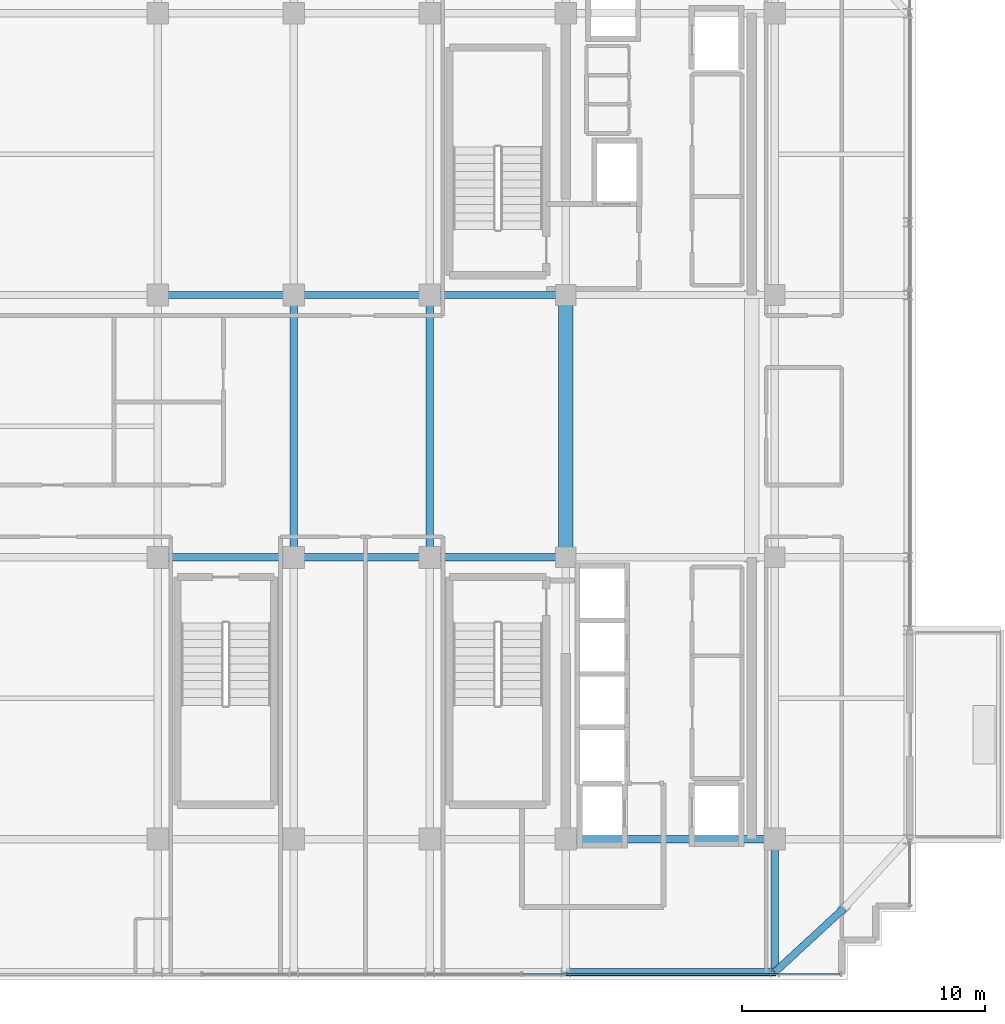
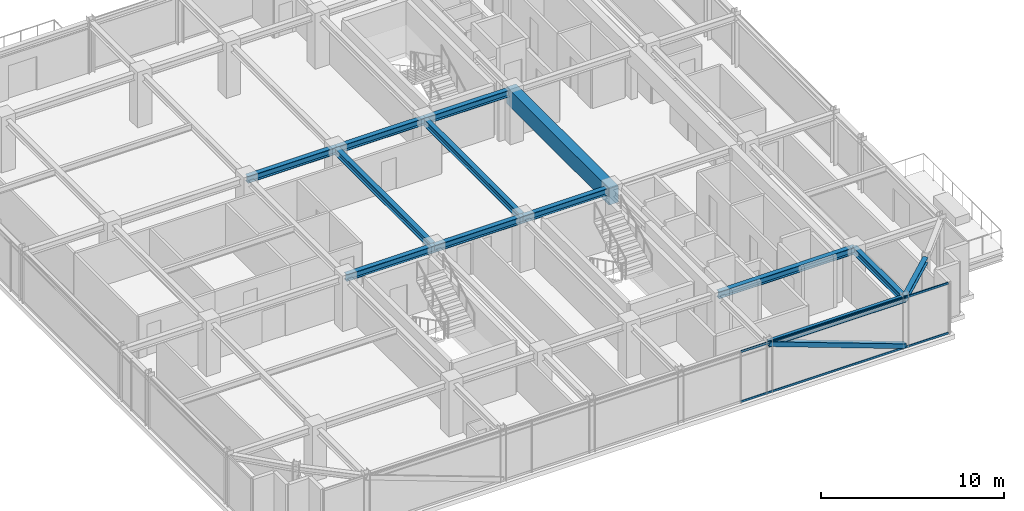
# One storey, part 11 of 31: 13 beams, 3 members, 1 element without a shape of its own.
"""IFC4 building model written with IfcOpenShell, lengths in metres."""

from ifc_helpers import new_model, si_unit, direction, frame, origin, origin_2d, place, context, subcontext, project, spatial, rectangle, hollow_rectangle, i_section, extrude, source, transform, mapped, material, material_profile, profile_set, type_object, element, aggregate, save


model = new_model("IFC4")

# Units and contexts
model_context = context("Model", 3, precision=1e-05, world=origin(), true_north=direction((0.0, 1.0)))
body_context = subcontext(model_context, "Body", "Model", "MODEL_VIEW")
ifc_project = project(units=[si_unit("LENGTHUNIT", "METRE"), si_unit("AREAUNIT", "SQUARE_METRE"), si_unit("VOLUMEUNIT", "CUBIC_METRE"), si_unit("PLANEANGLEUNIT", "RADIAN"), si_unit("MASSUNIT", "GRAM", prefix="KILO")], contexts=[model_context])

# Site, building, storey
site_placement = place(None, origin())
site = spatial("IfcSite", under=ifc_project, at=site_placement, CompositionType="ELEMENT")
building_placement = place(site_placement, origin())
building = spatial("IfcBuilding", under=site, at=building_placement, Name="Nahalor Promenade Grand Hotel", CompositionType="ELEMENT")
storey_placement = place(building_placement, frame((0.0, 0.0, 281.300048828125)))
storey = spatial("IfcBuildingStorey", under=building, at=storey_placement, Name="L72", CompositionType="ELEMENT", Elevation=281.300048828125)

# Beams
ifc_material_1 = material(Name="Concrete B-60 (C50/60)", Category="concrete")
ifc_material_profile_1 = material_profile(ifc_material_1, rectangle(XDim=0.6, YDim=1.1, at=origin_2d()), Name="RC 600x1100")
ifc_profile_set_1 = profile_set([ifc_material_profile_1], Name="Concrete B-60 (C50/60)")
beam_type_1 = type_object("IfcBeamType", Name="Beam-Lintel-RC1100", PredefinedType="LINTEL", material=ifc_profile_set_1)
shared_shape_1 = source(origin(), body_context, "Body", "SweptSolid", [
    extrude(rectangle(XDim=0.6, YDim=1.1, at=origin_2d()), origin(), (0.0, 0.0, 1.0), 11.2001953125),
])
beam_1_placement = place(storey_placement, frame((8.39990234375, -5.60009765625, 2.89990234375), z_axis=(0.0, 1.0, 0.0), x_axis=(-1.0, 0.0, 0.0)))
element("IfcBeam", 1, at=beam_1_placement, inside=storey, type_object=beam_type_1, Name="BM-L72-LINT-W", PredefinedType="LINTEL", context=body_context, shape_type="MappedRepresentation", body=[
    mapped(shared_shape_1, transform((0.0, 0.0, 0.0), scale=1.0)),
])
ifc_material_2 = material(Name="Steel S355JR", Category="steel")
ifc_material_profile_2 = material_profile(ifc_material_2, i_section(OverallWidth=0.3, OverallDepth=0.45, WebThickness=0.014, FlangeThickness=0.026, at=origin_2d()), Name="HEB 450")
ifc_profile_set_2 = profile_set([ifc_material_profile_2], Name="Steel S355JR")
beam_type_2 = type_object("IfcBeamType", Name="Beam-Girder-HEB450", PredefinedType="BEAM", material=ifc_profile_set_2)
shared_shape_2 = source(origin(), body_context, "Body", "SweptSolid", [
    extrude(i_section(OverallWidth=0.3, OverallDepth=0.45, WebThickness=0.014, FlangeThickness=0.026, at=origin_2d()), origin(), (0.0, 0.0, 1.0), 8.60009765625),
])
beam_2_placement = place(storey_placement, frame((8.39990234375, -17.0, 3.224853515625), z_axis=(1.0, 0.0, 0.0), x_axis=(0.0, 1.0, 0.0)))
element("IfcBeam", 2, at=beam_2_placement, inside=storey, type_object=beam_type_2, Name="BM-L72-GX-0-5", PredefinedType="BEAM", context=body_context, shape_type="MappedRepresentation", body=[
    mapped(shared_shape_2, transform((0.0, 0.0, 0.0), scale=1.0)),
])
shared_shape_3 = source(origin(), body_context, "Body", "SweptSolid", [
    extrude(i_section(OverallWidth=0.3, OverallDepth=0.45, WebThickness=0.014, FlangeThickness=0.026, at=origin_2d()), origin(), (0.0, 0.0, 1.0), 5.599853515625),
])
for number, where, z_axis, x_axis, name in (
    (3, (-8.39990234375, -5.39990234375, 3.224853515625), (1.0, 0.0, 0.0), (0.0, 1.0, 0.0), "BM-L72-GX-1-2"),
    (4, (2.800048828125, -5.39990234375, 3.224853515625), (1.0, 0.0, 0.0), (0.0, 1.0, 0.0), "BM-L72-GX-1-4"),
    (5, (-8.39990234375, 5.39990234375, 3.224853515625), (1.0, 0.0, 0.0), (0.0, 1.0, 0.0), "BM-L72-GX-2-2"),
    (6, (2.800048828125, 5.39990234375, 3.224853515625), (1.0, 0.0, 0.0), (0.0, 1.0, 0.0), "BM-L72-GX-2-4"),
):
    element("IfcBeam", number, at=place(storey_placement, frame(where, z_axis=z_axis, x_axis=x_axis)), inside=storey, type_object=beam_type_2, Name=name, PredefinedType="BEAM", context=body_context, shape_type="MappedRepresentation", body=[
        mapped(shared_shape_3, transform((0.0, 0.0, 0.0), scale=1.0)),
    ])
shared_shape_4 = source(origin(), body_context, "Body", "SweptSolid", [
    extrude(i_section(OverallWidth=0.3, OverallDepth=0.45, WebThickness=0.014, FlangeThickness=0.026, at=origin_2d()), origin(), (0.0, 0.0, 1.0), 5.60009765625),
])
for number, where, z_axis, x_axis, name in (
    (7, (-2.800048828125, -5.39990234375, 3.224853515625), (1.0, 0.0, 0.0), (0.0, 1.0, 0.0), "BM-L72-GX-1-3"),
    (8, (-2.800048828125, 5.39990234375, 3.224853515625), (1.0, 0.0, 0.0), (0.0, 1.0, 0.0), "BM-L72-GX-2-3"),
):
    element("IfcBeam", number, at=place(storey_placement, frame(where, z_axis=z_axis, x_axis=x_axis)), inside=storey, type_object=beam_type_2, Name=name, PredefinedType="BEAM", context=body_context, shape_type="MappedRepresentation", body=[
        mapped(shared_shape_4, transform((0.0, 0.0, 0.0), scale=1.0)),
    ])
shared_shape_5 = source(origin(), body_context, "Body", "SweptSolid", [
    extrude(i_section(OverallWidth=0.3, OverallDepth=0.45, WebThickness=0.014, FlangeThickness=0.026, at=origin_2d()), origin(), (0.0, 0.0, 1.0), 10.7998046875),
])
for number, where, z_axis, x_axis, name in (
    (9, (-2.800048828125, -5.39990234375, 3.224853515625), (0.0, 1.0, 0.0), (-1.0, 0.0, 0.0), "BM-L72-GY-2-2"),
    (10, (2.800048828125, -5.39990234375, 3.224853515625), (0.0, 1.0, 0.0), (-1.0, 0.0, 0.0), "BM-L72-GY-3-2"),
):
    element("IfcBeam", number, at=place(storey_placement, frame(where, z_axis=z_axis, x_axis=x_axis)), inside=storey, type_object=beam_type_2, Name=name, PredefinedType="BEAM", context=body_context, shape_type="MappedRepresentation", body=[
        mapped(shared_shape_5, transform((0.0, 0.0, 0.0), scale=1.0)),
    ])
shared_shape_6 = source(origin(), body_context, "Body", "SweptSolid", [
    extrude(i_section(OverallWidth=0.3, OverallDepth=0.45, WebThickness=0.014, FlangeThickness=0.026, at=origin_2d()), origin(), (0.0, 0.0, 1.0), 5.47998046875),
])
beam_3_placement = place(storey_placement, frame((17.0, -22.47998046875, 3.224853515625), z_axis=(0.0, 1.0, 0.0), x_axis=(-1.0, 0.0, 0.0)))
element("IfcBeam", 11, at=beam_3_placement, inside=storey, type_object=beam_type_2, Name="BM-L72-GY-5-0", PredefinedType="BEAM", context=body_context, shape_type="MappedRepresentation", body=[
    mapped(shared_shape_6, transform((0.0, 0.0, 0.0), scale=1.0)),
])
ifc_material_profile_3 = material_profile(ifc_material_2, i_section(OverallWidth=0.3, OverallDepth=0.36, WebThickness=0.0125, FlangeThickness=0.0225, at=origin_2d()), Name="HEB 360")
ifc_profile_set_3 = profile_set([ifc_material_profile_3], Name="Steel S355JR")
beam_type_3 = type_object("IfcBeamType", Name="Beam-Spandrel-HEB360", PredefinedType="SPANDREL", material=ifc_profile_set_3)
shared_shape_7 = source(origin(), body_context, "Body", "SweptSolid", [
    extrude(i_section(OverallWidth=0.3, OverallDepth=0.36, WebThickness=0.0125, FlangeThickness=0.0225, at=origin_2d()), origin(), (0.0, 0.0, 1.0), 8.60009765625),
])
beam_4_placement = place(storey_placement, frame((8.39990234375, -22.47998046875, 3.27001953125), z_axis=(1.0, 0.0, 0.0), x_axis=(0.0, 1.0, 0.0)))
element("IfcBeam", 12, at=beam_4_placement, inside=storey, type_object=beam_type_3, Name="BM-L72-SP-S-4", PredefinedType="SPANDREL", context=body_context, shape_type="MappedRepresentation", body=[
    mapped(shared_shape_7, transform((0.0, 0.0, 0.0), scale=1.0)),
])
shared_shape_8 = source(origin(), body_context, "Body", "SweptSolid", [
    extrude(i_section(OverallWidth=0.3, OverallDepth=0.36, WebThickness=0.0125, FlangeThickness=0.0225, at=origin_2d()), origin(), (0.0, 0.0, 1.0), 3.878173828125),
])
beam_5_placement = place(storey_placement, frame((17.0, -22.47998046875, 3.27001953125), z_axis=(0.73492893846, 0.678144125843, 0.0), x_axis=(-0.678144125843, 0.73492893846, 0.0)))
element("IfcBeam", 13, at=beam_5_placement, inside=storey, type_object=beam_type_3, Name="BM-L72-SPC-SE-1", PredefinedType="SPANDREL", context=body_context, shape_type="MappedRepresentation", body=[
    mapped(shared_shape_8, transform((0.0, 0.0, 0.0), scale=1.0)),
])

# Member
ifc_material_profile_4 = material_profile(ifc_material_2, hollow_rectangle(XDim=0.3, YDim=0.3, WallThickness=0.016, at=origin_2d()), Name="SHS 300x300x16")
ifc_profile_set_4 = profile_set([ifc_material_profile_4], Name="Steel S355JR")
member_type_1 = type_object("IfcMemberType", Name="Mem-CrownBrace-SHS300", PredefinedType="BRACE", material=ifc_profile_set_4)
shared_shape_9 = source(origin(), body_context, "Body", "SweptSolid", [
    extrude(hollow_rectangle(XDim=0.3, YDim=0.3, WallThickness=0.016, at=origin_2d()), origin(), (0.0, 0.0, 1.0), 9.158935546875),
])
member_1_placement = place(storey_placement, frame((17.0, -22.47998046875, 0.14990234375), z_axis=(-0.938989990654, 0.0, 0.343944468558), x_axis=(0.0, -1.0, 0.0)))
element("IfcMember", 14, at=member_1_placement, inside=storey, type_object=member_type_1, Name="EXO-L72-S-1", PredefinedType="BRACE", context=body_context, shape_type="MappedRepresentation", body=[
    mapped(shared_shape_9, transform((0.0, 0.0, 0.0), scale=1.0)),
])

# Curtain wall, members
ifc_material_3 = material(Name="Anodised Bronze Aluminium EN AW-6063 T6", Category="aluminium")
curtain_wall_type = type_object("IfcCurtainWallType", Name="CW2 Typical Hotel Flush Bronze Unitised Curtain Wall", PredefinedType="USERDEFINED", material=ifc_material_3)
curtain_wall_placement = place(storey_placement, origin())
curtain_wall = element("IfcCurtainWall", 15, at=curtain_wall_placement, inside=storey, type_object=curtain_wall_type, Name="L72 Curtain Wall CW-L72-S-1", ObjectType="UNITISED_CURTAIN_WALL", PredefinedType="USERDEFINED")
ifc_material_profile_5 = material_profile(ifc_material_3, hollow_rectangle(XDim=0.065, YDim=0.13, WallThickness=0.004, at=origin_2d()), Name="CWT 65x130x4")
ifc_profile_set_5 = profile_set([ifc_material_profile_5], Name="Anodised Bronze Aluminium EN AW-6063 T6")
member_type_2 = type_object("IfcMemberType", Name="CWT2 Typical Bronze Transom 65x130", PredefinedType="USERDEFINED", material=ifc_profile_set_5)
shared_shape_10 = source(origin(), body_context, "Body", "SweptSolid", [
    extrude(hollow_rectangle(XDim=0.065, YDim=0.13, WallThickness=0.004, at=origin_2d()), origin(), (0.0, 0.0, 1.0), 13.075927734375),
])
member_2_placement = place(storey_placement, frame((6.619140625, -22.56005859375, 0.06494140625), z_axis=(1.0, 0.0, 0.0), x_axis=(0.0, 1.0, 0.0)))
member_2 = element("IfcMember", 16, at=member_2_placement, type_object=member_type_2, Name="CW-L72-S-1 Transom 2-0", ObjectType="TRANSOM", PredefinedType="USERDEFINED", context=body_context, shape_type="MappedRepresentation", body=[
    mapped(shared_shape_10, transform((0.0, 0.0, 0.0), scale=1.0)),
])
member_3_placement = place(storey_placement, frame((6.619140625, -22.56005859375, 3.385009765625), z_axis=(1.0, 0.0, 0.0), x_axis=(0.0, 1.0, 0.0)))
member_3 = element("IfcMember", 17, at=member_3_placement, type_object=member_type_2, Name="CW-L72-S-1 Transom 2-1", ObjectType="TRANSOM", PredefinedType="USERDEFINED", context=body_context, shape_type="MappedRepresentation", body=[
    mapped(shared_shape_10, transform((0.0, 0.0, 0.0), scale=1.0)),
])
aggregate(curtain_wall, [member_2, member_3])

save(model, "model.ifc")
